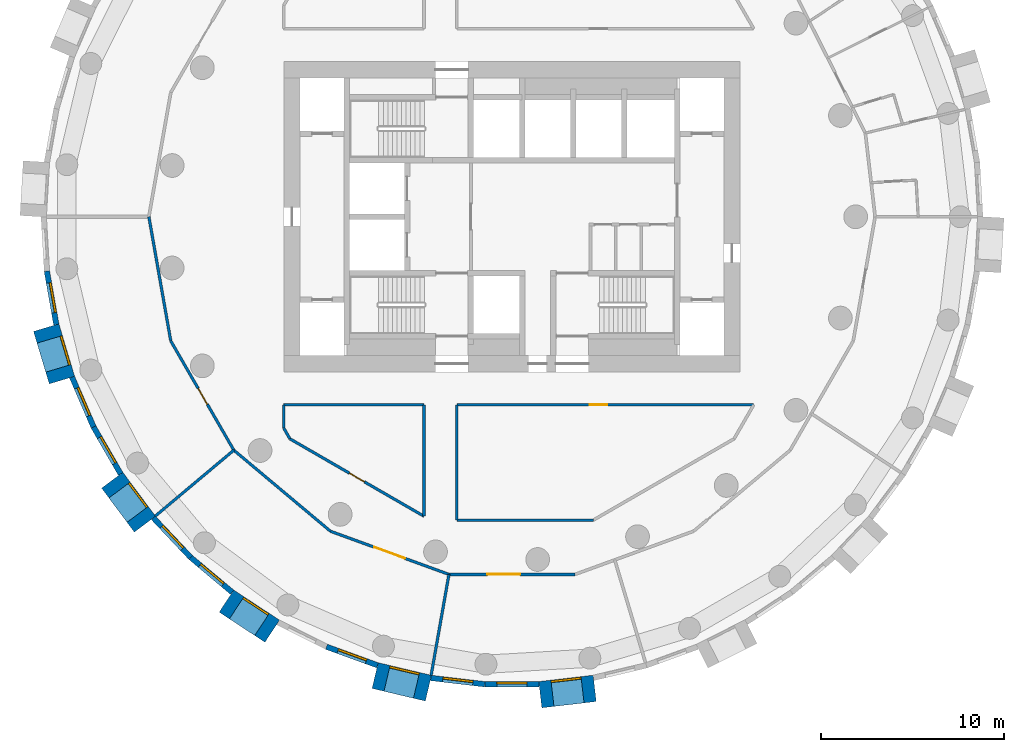
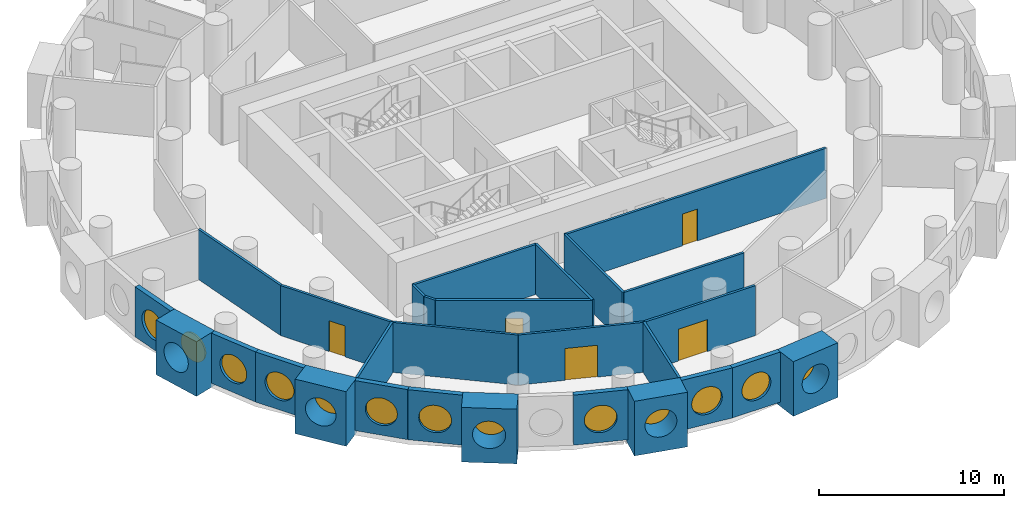
# One storey, part 2 of 10: 28 walls, 13 windows, 5 doors, 18 openings.
"""IFC4 building model written with IfcOpenShell, lengths in metres."""

from ifc_helpers import new_model, si_unit, direction, frame, frame_2d, origin, origin_2d, place, context, subcontext, project, spatial, rectangle, circle, extrude, material, layer, layer_set, type_object, element, fill, save


model = new_model("IFC4")

# Units and contexts
model_context = context("Model", 3, precision=1e-05, world=origin(), true_north=direction((0.0, 1.0)))
body_context = subcontext(model_context, "Body", "Model", "MODEL_VIEW")
ifc_project = project(units=[si_unit("LENGTHUNIT", "METRE"), si_unit("AREAUNIT", "SQUARE_METRE"), si_unit("VOLUMEUNIT", "CUBIC_METRE"), si_unit("PLANEANGLEUNIT", "RADIAN"), si_unit("MASSUNIT", "GRAM", prefix="KILO")], contexts=[model_context])

# Site, building, storey
site_placement = place(None, origin())
site = spatial("IfcSite", under=ifc_project, at=site_placement, CompositionType="ELEMENT")
building_placement = place(site_placement, origin())
building = spatial("IfcBuilding", under=site, at=building_placement, Name="Tracery Tower", CompositionType="ELEMENT")
storey_placement = place(building_placement, frame((0.0, 0.0, 133.199951171875)))
storey = spatial("IfcBuildingStorey", under=building, at=storey_placement, Name="L33", CompositionType="ELEMENT", Elevation=133.199951171875)

# Wall, opening, window
ifc_material_1 = material(Name="Precast concrete C50/60", Category="concrete")
ifc_layer_1 = layer(ifc_material_1, 1.449951171875)
ifc_layer_set_1 = layer_set([ifc_layer_1], Name="Deep-set bay unit 3000 x 3600, slab edge 300")
wall_type_1 = type_object("IfcWallType", Name="Deep-set bay unit 3000 x 3600, slab edge 300", PredefinedType="ELEMENTEDWALL", material=ifc_layer_set_1)
wall_1_placement = place(storey_placement, frame((-25.509521484375, -6.0712890625, -0.300048828125), z_axis=(0.0, 0.0, 1.0), x_axis=(0.286780420304, -0.957996341606, 0.0)))
wall_1 = element("IfcWall", 1, at=wall_1_placement, inside=storey, type_object=wall_type_1, Name="Deep-set bay unit 30 at L33", PredefinedType="ELEMENTEDWALL", context=body_context, shape_type="SweptSolid", body=[
    extrude(rectangle(XDim=3.0, YDim=1.449951171875, at=frame_2d((1.5, 0.0))), origin(), (0.0, 0.0, 1.0), 3.60009765625),
])
opening_1_placement = place(wall_1_placement, frame((1.5, 0.0, 1.85009765625)))
opening_1 = element("IfcOpeningElement", 2, at=opening_1_placement, cuts=wall_1, Name="Opening WN1", PredefinedType="OPENING", context=body_context, shape_type="SweptSolid", body=[
    extrude(circle(Radius=0.9000244140625, at=origin_2d()), frame((0.0, 0.73486328125, 0.0), z_axis=(0.0, -1.0, 0.0), x_axis=(1.0, 0.0, 0.0)), (0.0, 0.0, 1.0), 1.469970703125),
])
ifc_material_2 = material(Name="Aluminium frame with tinted double glazing", Category="aluminium")
window_type = type_object("IfcWindowType", Name="Round window 1800", PartitioningType="SINGLE_PANEL", PredefinedType="WINDOW", material=ifc_material_2)
window_1_placement = place(opening_1_placement, origin())
window_1 = element("IfcWindow", 3, at=window_1_placement, inside=storey, type_object=window_type, Name="Round window 30 at L33", OverallHeight=1.800048828125, OverallWidth=1.800048828125, PartitioningType="SINGLE_PANEL", PredefinedType="WINDOW", context=body_context, shape_type="SweptSolid", body=[
    extrude(circle(Radius=0.9000244140625, at=origin_2d()), frame((0.0, 0.69482421875, 0.0), z_axis=(0.0, -1.0, 0.0), x_axis=(1.0, 0.0, 0.0)), (0.0, 0.0, 1.0), 0.10009765625),
])
fill(opening_1, window_1)

wall_2_placement = place(storey_placement, frame((-21.89453125, -14.429931640625, -0.300048828125), z_axis=(0.0, 0.0, 1.0), x_axis=(0.597183717734, -0.802104486506, 0.0)))
wall_2 = element("IfcWall", 4, at=wall_2_placement, inside=storey, type_object=wall_type_1, Name="Deep-set bay unit 33 at L33", PredefinedType="ELEMENTEDWALL", context=body_context, shape_type="SweptSolid", body=[
    extrude(rectangle(XDim=3.0, YDim=1.449951171875, at=frame_2d((1.5, 0.0))), origin(), (0.0, 0.0, 1.0), 3.60009765625),
])
opening_2_placement = place(wall_2_placement, frame((1.5, 0.0, 1.85009765625)))
opening_2 = element("IfcOpeningElement", 5, at=opening_2_placement, cuts=wall_2, Name="Opening WN1", PredefinedType="OPENING", context=body_context, shape_type="SweptSolid", body=[
    extrude(circle(Radius=0.9000244140625, at=origin_2d()), frame((0.0, 0.73486328125, 0.0), z_axis=(0.0, -1.0, 0.0), x_axis=(1.0, 0.0, 0.0)), (0.0, 0.0, 1.0), 1.469970703125),
])
window_2_placement = place(opening_2_placement, origin())
window_2 = element("IfcWindow", 6, at=window_2_placement, inside=storey, type_object=window_type, Name="Round window 33 at L33", OverallHeight=1.800048828125, OverallWidth=1.800048828125, PartitioningType="SINGLE_PANEL", PredefinedType="WINDOW", context=body_context, shape_type="SweptSolid", body=[
    extrude(circle(Radius=0.9000244140625, at=origin_2d()), frame((0.0, 0.69482421875, 0.0), z_axis=(0.0, -1.0, 0.0), x_axis=(1.0, 0.0, 0.0)), (0.0, 0.0, 1.0), 0.10009765625),
])
fill(opening_2, window_2)

wall_3_placement = place(storey_placement, frame((-15.638916015625, -21.048095703125, -0.300048828125), z_axis=(0.0, 0.0, 1.0), x_axis=(0.835514416706, -0.549468524554, 0.0)))
wall_3 = element("IfcWall", 7, at=wall_3_placement, inside=storey, type_object=wall_type_1, Name="Deep-set bay unit 36 at L33", PredefinedType="ELEMENTEDWALL", context=body_context, shape_type="SweptSolid", body=[
    extrude(rectangle(XDim=3.0, YDim=1.449951171875, at=frame_2d((1.5, 0.0))), origin(), (0.0, 0.0, 1.0), 3.60009765625),
])
opening_3_placement = place(wall_3_placement, frame((1.5, 0.0, 1.85009765625)))
opening_3 = element("IfcOpeningElement", 8, at=opening_3_placement, cuts=wall_3, Name="Opening WN1", PredefinedType="OPENING", context=body_context, shape_type="SweptSolid", body=[
    extrude(circle(Radius=0.9000244140625, at=origin_2d()), frame((0.0, 0.73486328125, 0.0), z_axis=(0.0, -1.0, 0.0), x_axis=(1.0, 0.0, 0.0)), (0.0, 0.0, 1.0), 1.469970703125),
])
window_3_placement = place(opening_3_placement, origin())
window_3 = element("IfcWindow", 9, at=window_3_placement, inside=storey, type_object=window_type, Name="Round window 36 at L33", OverallHeight=1.800048828125, OverallWidth=1.800048828125, PartitioningType="SINGLE_PANEL", PredefinedType="WINDOW", context=body_context, shape_type="SweptSolid", body=[
    extrude(circle(Radius=0.9000244140625, at=origin_2d()), frame((0.0, 0.69482421875, 0.0), z_axis=(0.0, -1.0, 0.0), x_axis=(1.0, 0.0, 0.0)), (0.0, 0.0, 1.0), 0.10009765625),
])
fill(opening_3, window_3)

wall_4_placement = place(storey_placement, frame((-7.496826171875, -25.12744140625, -0.300048828125), z_axis=(0.0, 0.0, 1.0), x_axis=(0.973042333261, -0.23062657627, 0.0)))
wall_4 = element("IfcWall", 10, at=wall_4_placement, inside=storey, type_object=wall_type_1, Name="Deep-set bay unit 39 at L33", PredefinedType="ELEMENTEDWALL", context=body_context, shape_type="SweptSolid", body=[
    extrude(rectangle(XDim=3.0, YDim=1.449951171875, at=frame_2d((1.5, 0.0))), origin(), (0.0, 0.0, 1.0), 3.60009765625),
])
opening_4_placement = place(wall_4_placement, frame((1.5, 0.0, 1.85009765625)))
opening_4 = element("IfcOpeningElement", 11, at=opening_4_placement, cuts=wall_4, Name="Opening WN1", PredefinedType="OPENING", context=body_context, shape_type="SweptSolid", body=[
    extrude(circle(Radius=0.9000244140625, at=origin_2d()), frame((0.0, 0.73486328125, 0.0), z_axis=(0.0, -1.0, 0.0), x_axis=(1.0, 0.0, 0.0)), (0.0, 0.0, 1.0), 1.469970703125),
])
window_4_placement = place(opening_4_placement, origin())
window_4 = element("IfcWindow", 12, at=window_4_placement, inside=storey, type_object=window_type, Name="Round window 39 at L33", OverallHeight=1.800048828125, OverallWidth=1.800048828125, PartitioningType="SINGLE_PANEL", PredefinedType="WINDOW", context=body_context, shape_type="SweptSolid", body=[
    extrude(circle(Radius=0.9000244140625, at=origin_2d()), frame((0.0, 0.69482421875, 0.0), z_axis=(0.0, -1.0, 0.0), x_axis=(1.0, 0.0, 0.0)), (0.0, 0.0, 1.0), 0.10009765625),
])
fill(opening_4, window_4)

wall_5_placement = place(storey_placement, frame((1.54931640625, -26.17626953125, -0.300048828125), z_axis=(0.0, 0.0, 1.0), x_axis=(0.9932342274, 0.116128246006, 0.0)))
wall_5 = element("IfcWall", 13, at=wall_5_placement, inside=storey, type_object=wall_type_1, Name="Deep-set bay unit 42 at L33", PredefinedType="ELEMENTEDWALL", context=body_context, shape_type="SweptSolid", body=[
    extrude(rectangle(XDim=3.0, YDim=1.449951171875, at=frame_2d((1.5, 0.0))), origin(), (0.0, 0.0, 1.0), 3.60009765625),
])
opening_5_placement = place(wall_5_placement, frame((1.5, 0.0, 1.85009765625)))
opening_5 = element("IfcOpeningElement", 14, at=opening_5_placement, cuts=wall_5, Name="Opening WN1", PredefinedType="OPENING", context=body_context, shape_type="SweptSolid", body=[
    extrude(circle(Radius=0.9000244140625, at=origin_2d()), frame((0.0, 0.73486328125, 0.0), z_axis=(0.0, -1.0, 0.0), x_axis=(1.0, 0.0, 0.0)), (0.0, 0.0, 1.0), 1.469970703125),
])
window_5_placement = place(opening_5_placement, origin())
window_5 = element("IfcWindow", 15, at=window_5_placement, inside=storey, type_object=window_type, Name="Round window 42 at L33", OverallHeight=1.800048828125, OverallWidth=1.800048828125, PartitioningType="SINGLE_PANEL", PredefinedType="WINDOW", context=body_context, shape_type="SweptSolid", body=[
    extrude(circle(Radius=0.9000244140625, at=origin_2d()), frame((0.0, 0.69482421875, 0.0), z_axis=(0.0, -1.0, 0.0), x_axis=(1.0, 0.0, 0.0)), (0.0, 0.0, 1.0), 0.10009765625),
])
fill(opening_5, window_5)

ifc_material_3 = material(Name="Precast concrete C50/60", Category="concrete")
ifc_layer_2 = layer(ifc_material_3, 0.300048828125)
ifc_layer_set_2 = layer_set([ifc_layer_2], Name="Facade panel 3000 x 3300")
wall_type_2 = type_object("IfcWallType", Name="Facade panel 3000 x 3300", PredefinedType="SOLIDWALL", material=ifc_layer_set_2)
wall_6_placement = place(storey_placement, frame((-25.47412109375, -2.9775390625, 0.0), z_axis=(0.0, 0.0, 1.0), x_axis=(0.173686952598, -0.984800915159, 0.0)))
wall_6 = element("IfcWall", 16, at=wall_6_placement, inside=storey, type_object=wall_type_2, Name="Facade panel 29 at L33", PredefinedType="SOLIDWALL", context=body_context, shape_type="SweptSolid", body=[
    extrude(rectangle(XDim=2.972900390625, YDim=0.300048828125, at=frame_2d((1.486328125, 0.0))), origin(), (0.0, 0.0, 1.0), 3.300048828125),
])
opening_6_placement = place(wall_6_placement, frame((1.486328125, 0.0, 1.5498046875)))
opening_6 = element("IfcOpeningElement", 17, at=opening_6_placement, cuts=wall_6, Name="Opening WN1", PredefinedType="OPENING", context=body_context, shape_type="SweptSolid", body=[
    extrude(circle(Radius=0.9000244140625, at=origin_2d()), frame((0.0, 0.159912109375, 0.0), z_axis=(0.0, -1.0, 0.0), x_axis=(1.0, 0.0, 0.0)), (0.0, 0.0, 1.0), 0.320068359375),
])
window_6_placement = place(opening_6_placement, origin())
window_6 = element("IfcWindow", 18, at=window_6_placement, inside=storey, type_object=window_type, Name="Round window 29 at L33", OverallHeight=1.800048828125, OverallWidth=1.800048828125, PartitioningType="SINGLE_PANEL", PredefinedType="WINDOW", context=body_context, shape_type="SweptSolid", body=[
    extrude(circle(Radius=0.9000244140625, at=origin_2d()), frame((0.0, 0.1201171875, 0.0), z_axis=(0.0, -1.0, 0.0), x_axis=(1.0, 0.0, 0.0)), (0.0, 0.0, 1.0), 0.10009765625),
])
fill(opening_6, window_6)

wall_7_placement = place(storey_placement, frame((-24.096923828125, -8.78076171875, 0.0), z_axis=(0.0, 0.0, 1.0), x_axis=(0.396078892785, -0.918216483565, 0.0)))
wall_7 = element("IfcWall", 19, at=wall_7_placement, inside=storey, type_object=wall_type_2, Name="Facade panel 31 at L33", PredefinedType="SOLIDWALL", context=body_context, shape_type="SweptSolid", body=[
    extrude(rectangle(XDim=2.972900390625, YDim=0.300048828125, at=frame_2d((1.486328125, 0.0))), origin(), (0.0, 0.0, 1.0), 3.300048828125),
])
opening_7_placement = place(wall_7_placement, frame((1.486328125, 0.0, 1.5498046875)))
opening_7 = element("IfcOpeningElement", 20, at=opening_7_placement, cuts=wall_7, Name="Opening WN1", PredefinedType="OPENING", context=body_context, shape_type="SweptSolid", body=[
    extrude(circle(Radius=0.9000244140625, at=origin_2d()), frame((0.0, 0.159912109375, 0.0), z_axis=(0.0, -1.0, 0.0), x_axis=(1.0, 0.0, 0.0)), (0.0, 0.0, 1.0), 0.320068359375),
])
window_7_placement = place(opening_7_placement, origin())
window_7 = element("IfcWindow", 21, at=window_7_placement, inside=storey, type_object=window_type, Name="Round window 31 at L33", OverallHeight=1.800048828125, OverallWidth=1.800048828125, PartitioningType="SINGLE_PANEL", PredefinedType="WINDOW", context=body_context, shape_type="SweptSolid", body=[
    extrude(circle(Radius=0.9000244140625, at=origin_2d()), frame((0.0, 0.1201171875, 0.0), z_axis=(0.0, -1.0, 0.0), x_axis=(1.0, 0.0, 0.0)), (0.0, 0.0, 1.0), 0.10009765625),
])
fill(opening_7, window_7)

wall_8_placement = place(storey_placement, frame((-22.91943359375, -11.510498046875, 0.0), z_axis=(0.0, 0.0, 1.0), x_axis=(0.500016263033, -0.866016014115, 0.0)))
wall_8 = element("IfcWall", 22, at=wall_8_placement, inside=storey, type_object=wall_type_2, Name="Facade panel 32 at L33", PredefinedType="SOLIDWALL", context=body_context, shape_type="SweptSolid", body=[
    extrude(rectangle(XDim=2.97314453125, YDim=0.300048828125, at=frame_2d((1.486572265625, 0.0))), origin(), (0.0, 0.0, 1.0), 3.300048828125),
])
opening_8_placement = place(wall_8_placement, frame((1.486328125, 0.0, 1.5498046875)))
opening_8 = element("IfcOpeningElement", 23, at=opening_8_placement, cuts=wall_8, Name="Opening WN1", PredefinedType="OPENING", context=body_context, shape_type="SweptSolid", body=[
    extrude(circle(Radius=0.9000244140625, at=origin_2d()), frame((0.0, 0.159912109375, 0.0), z_axis=(0.0, -1.0, 0.0), x_axis=(1.0, 0.0, 0.0)), (0.0, 0.0, 1.0), 0.320068359375),
])
window_8_placement = place(opening_8_placement, origin())
window_8 = element("IfcWindow", 24, at=window_8_placement, inside=storey, type_object=window_type, Name="Round window 32 at L33", OverallHeight=1.800048828125, OverallWidth=1.800048828125, PartitioningType="SINGLE_PANEL", PredefinedType="WINDOW", context=body_context, shape_type="SweptSolid", body=[
    extrude(circle(Radius=0.9000244140625, at=origin_2d()), frame((0.0, 0.1201171875, 0.0), z_axis=(0.0, -1.0, 0.0), x_axis=(1.0, 0.0, 0.0)), (0.0, 0.0, 1.0), 0.10009765625),
])
fill(opening_8, window_8)

wall_9_placement = place(storey_placement, frame((-19.640380859375, -16.492919921875, 0.0), z_axis=(0.0, 0.0, 1.0), x_axis=(0.686235184166, -0.727379730273, 0.0)))
wall_9 = element("IfcWall", 25, at=wall_9_placement, inside=storey, type_object=wall_type_2, Name="Facade panel 34 at L33", PredefinedType="SOLIDWALL", context=body_context, shape_type="SweptSolid", body=[
    extrude(rectangle(XDim=2.972900390625, YDim=0.300048828125, at=frame_2d((1.486328125, 0.0))), origin(), (0.0, 0.0, 1.0), 3.300048828125),
])
opening_9_placement = place(wall_9_placement, frame((1.486328125, 0.0, 1.5498046875)))
opening_9 = element("IfcOpeningElement", 26, at=opening_9_placement, cuts=wall_9, Name="Opening WN1", PredefinedType="OPENING", context=body_context, shape_type="SweptSolid", body=[
    extrude(circle(Radius=0.9000244140625, at=origin_2d()), frame((0.0, 0.159912109375, 0.0), z_axis=(0.0, -1.0, 0.0), x_axis=(1.0, 0.0, 0.0)), (0.0, 0.0, 1.0), 0.320068359375),
])
window_9_placement = place(opening_9_placement, origin())
window_9 = element("IfcWindow", 27, at=window_9_placement, inside=storey, type_object=window_type, Name="Round window 34 at L33", OverallHeight=1.800048828125, OverallWidth=1.800048828125, PartitioningType="SINGLE_PANEL", PredefinedType="WINDOW", context=body_context, shape_type="SweptSolid", body=[
    extrude(circle(Radius=0.9000244140625, at=origin_2d()), frame((0.0, 0.1201171875, 0.0), z_axis=(0.0, -1.0, 0.0), x_axis=(1.0, 0.0, 0.0)), (0.0, 0.0, 1.0), 0.10009765625),
])
fill(opening_9, window_9)

wall_10_placement = place(storey_placement, frame((-17.600341796875, -18.6552734375, 0.0), z_axis=(0.0, 0.0, 1.0), x_axis=(0.766049350637, -0.642781761089, 0.0)))
wall_10 = element("IfcWall", 28, at=wall_10_placement, inside=storey, type_object=wall_type_2, Name="Facade panel 35 at L33", PredefinedType="SOLIDWALL", context=body_context, shape_type="SweptSolid", body=[
    extrude(rectangle(XDim=2.972900390625, YDim=0.300048828125, at=frame_2d((1.486328125, 0.0))), origin(), (0.0, 0.0, 1.0), 3.300048828125),
])
opening_10_placement = place(wall_10_placement, frame((1.486328125, 0.0, 1.5498046875)))
opening_10 = element("IfcOpeningElement", 29, at=opening_10_placement, cuts=wall_10, Name="Opening WN1", PredefinedType="OPENING", context=body_context, shape_type="SweptSolid", body=[
    extrude(circle(Radius=0.9000244140625, at=origin_2d()), frame((0.0, 0.159912109375, 0.0), z_axis=(0.0, -1.0, 0.0), x_axis=(1.0, 0.0, 0.0)), (0.0, 0.0, 1.0), 0.320068359375),
])
window_10_placement = place(opening_10_placement, origin())
window_10 = element("IfcWindow", 30, at=window_10_placement, inside=storey, type_object=window_type, Name="Round window 35 at L33", OverallHeight=1.800048828125, OverallWidth=1.800048828125, PartitioningType="SINGLE_PANEL", PredefinedType="WINDOW", context=body_context, shape_type="SweptSolid", body=[
    extrude(circle(Radius=0.9000244140625, at=origin_2d()), frame((0.0, 0.1201171875, 0.0), z_axis=(0.0, -1.0, 0.0), x_axis=(1.0, 0.0, 0.0)), (0.0, 0.0, 1.0), 0.10009765625),
])
fill(opening_10, window_10)

wall_11_placement = place(storey_placement, frame((-10.158447265625, -23.5498046875, 0.0), z_axis=(0.0, 0.0, 1.0), x_axis=(0.939690282133, -0.342026568652, 0.0)))
wall_11 = element("IfcWall", 31, at=wall_11_placement, inside=storey, type_object=wall_type_2, Name="Facade panel 38 at L33", PredefinedType="SOLIDWALL", context=body_context, shape_type="SweptSolid", body=[
    extrude(rectangle(XDim=2.972900390625, YDim=0.300048828125, at=frame_2d((1.486328125, 0.0))), origin(), (0.0, 0.0, 1.0), 3.300048828125),
])
opening_11_placement = place(wall_11_placement, frame((1.486328125, 0.0, 1.5498046875)))
opening_11 = element("IfcOpeningElement", 32, at=opening_11_placement, cuts=wall_11, Name="Opening WN1", PredefinedType="OPENING", context=body_context, shape_type="SweptSolid", body=[
    extrude(circle(Radius=0.9000244140625, at=origin_2d()), frame((0.0, 0.159912109375, 0.0), z_axis=(0.0, -1.0, 0.0), x_axis=(1.0, 0.0, 0.0)), (0.0, 0.0, 1.0), 0.320068359375),
])
window_11_placement = place(opening_11_placement, origin())
window_11 = element("IfcWindow", 33, at=window_11_placement, inside=storey, type_object=window_type, Name="Round window 38 at L33", OverallHeight=1.800048828125, OverallWidth=1.800048828125, PartitioningType="SINGLE_PANEL", PredefinedType="WINDOW", context=body_context, shape_type="SweptSolid", body=[
    extrude(circle(Radius=0.9000244140625, at=origin_2d()), frame((0.0, 0.1201171875, 0.0), z_axis=(0.0, -1.0, 0.0), x_axis=(1.0, 0.0, 0.0)), (0.0, 0.0, 1.0), 0.10009765625),
])
fill(opening_11, window_11)

wall_12_placement = place(storey_placement, frame((-4.444091796875, -25.259033203125, 0.0), z_axis=(0.0, 0.0, 1.0), x_axis=(0.993245010522, -0.1160359818, 0.0)))
wall_12 = element("IfcWall", 34, at=wall_12_placement, inside=storey, type_object=wall_type_2, Name="Facade panel 40 at L33", PredefinedType="SOLIDWALL", context=body_context, shape_type="SweptSolid", body=[
    extrude(rectangle(XDim=2.972900390625, YDim=0.300048828125, at=frame_2d((1.486328125, 0.0))), origin(), (0.0, 0.0, 1.0), 3.300048828125),
])
opening_12_placement = place(wall_12_placement, frame((1.486328125, 0.0, 1.5498046875)))
opening_12 = element("IfcOpeningElement", 35, at=opening_12_placement, cuts=wall_12, Name="Opening WN1", PredefinedType="OPENING", context=body_context, shape_type="SweptSolid", body=[
    extrude(circle(Radius=0.9000244140625, at=origin_2d()), frame((0.0, 0.159912109375, 0.0), z_axis=(0.0, -1.0, 0.0), x_axis=(1.0, 0.0, 0.0)), (0.0, 0.0, 1.0), 0.320068359375),
])
window_12_placement = place(opening_12_placement, origin())
window_12 = element("IfcWindow", 36, at=window_12_placement, inside=storey, type_object=window_type, Name="Round window 40 at L33", OverallHeight=1.800048828125, OverallWidth=1.800048828125, PartitioningType="SINGLE_PANEL", PredefinedType="WINDOW", context=body_context, shape_type="SweptSolid", body=[
    extrude(circle(Radius=0.9000244140625, at=origin_2d()), frame((0.0, 0.1201171875, 0.0), z_axis=(0.0, -1.0, 0.0), x_axis=(1.0, 0.0, 0.0)), (0.0, 0.0, 1.0), 0.10009765625),
])
fill(opening_12, window_12)

wall_13_placement = place(storey_placement, frame((-1.4912109375, -25.60400390625, 0.0), z_axis=(0.0, 0.0, 1.0), x_axis=(1.0, 0.0, 0.0)))
wall_13 = element("IfcWall", 37, at=wall_13_placement, inside=storey, type_object=wall_type_2, Name="Facade panel 41 at L33", PredefinedType="SOLIDWALL", context=body_context, shape_type="SweptSolid", body=[
    extrude(rectangle(XDim=2.972900390625, YDim=0.300048828125, at=frame_2d((1.486328125, 0.0))), origin(), (0.0, 0.0, 1.0), 3.300048828125),
])
opening_13_placement = place(wall_13_placement, frame((1.486328125, 0.0, 1.5498046875)))
opening_13 = element("IfcOpeningElement", 38, at=opening_13_placement, cuts=wall_13, Name="Opening WN1", PredefinedType="OPENING", context=body_context, shape_type="SweptSolid", body=[
    extrude(circle(Radius=0.9000244140625, at=origin_2d()), frame((0.0, 0.159912109375, 0.0), z_axis=(0.0, -1.0, 0.0), x_axis=(1.0, 0.0, 0.0)), (0.0, 0.0, 1.0), 0.320068359375),
])
window_13_placement = place(opening_13_placement, origin())
window_13 = element("IfcWindow", 39, at=window_13_placement, inside=storey, type_object=window_type, Name="Round window 41 at L33", OverallHeight=1.800048828125, OverallWidth=1.800048828125, PartitioningType="SINGLE_PANEL", PredefinedType="WINDOW", context=body_context, shape_type="SweptSolid", body=[
    extrude(circle(Radius=0.9000244140625, at=origin_2d()), frame((0.0, 0.1201171875, 0.0), z_axis=(0.0, -1.0, 0.0), x_axis=(1.0, 0.0, 0.0)), (0.0, 0.0, 1.0), 0.10009765625),
])
fill(opening_13, window_13)

# Walls
ifc_material_4 = material(Name="Plasterboard on steel studs", Category="steel")
ifc_layer_3 = layer(ifc_material_4, 0.14990234375)
ifc_layer_set_3 = layer_set([ifc_layer_3], Name="Partition 150 acoustic unit wall")
wall_type_3 = type_object("IfcWallType", Name="Partition 150 acoustic unit wall", PredefinedType="PARTITIONING", material=ifc_layer_set_3)
wall_14_placement = place(storey_placement, frame((-19.531982421875, -16.388916015625, 0.0), z_axis=(0.0, 0.0, 1.0), x_axis=(0.76609059793, 0.642732600514, 0.0)))
element("IfcWall", 40, at=wall_14_placement, inside=storey, type_object=wall_type_3, Name="Unit wall RB1-077", PredefinedType="PARTITIONING", context=body_context, shape_type="SweptSolid", body=[
    extrude(rectangle(XDim=5.60888671875, YDim=0.14990234375, at=frame_2d((2.804443359375, 0.0))), origin(), (0.0, 0.0, 1.0), 3.300048828125),
])
wall_15_placement = place(storey_placement, frame((-4.427978515625, -25.110107421875, 0.0), z_axis=(0.0, 0.0, 1.0), x_axis=(0.17382754149, 0.984776109489, 0.0)))
element("IfcWall", 41, at=wall_15_placement, inside=storey, type_object=wall_type_3, Name="Unit wall RB1-078", PredefinedType="PARTITIONING", context=body_context, shape_type="SweptSolid", body=[
    extrude(rectangle(XDim=5.609619140625, YDim=0.14990234375, at=frame_2d((2.8046875, 0.0))), origin(), (0.0, 0.0, 1.0), 3.300048828125),
])
ifc_material_5 = material(Name="Plasterboard on steel studs", Category="steel")
ifc_layer_4 = layer(ifc_material_5, 0.14990234375)
ifc_layer_set_4 = layer_set([ifc_layer_4], Name="Partition 150 corridor wall")
wall_type_4 = type_object("IfcWallType", Name="Partition 150 corridor wall", PredefinedType="PARTITIONING", material=ifc_layer_set_4)
wall_16_placement = place(storey_placement, frame((-12.50390625, -10.300048828125, 0.0), z_axis=(0.0, 0.0, 1.0), x_axis=(1.0, 0.0, 0.0)))
element("IfcWall", 42, at=wall_16_placement, inside=storey, type_object=wall_type_4, Name="Corridor wall RB1-003", PredefinedType="PARTITIONING", context=body_context, shape_type="SweptSolid", body=[
    extrude(rectangle(XDim=7.68701171875, YDim=0.14990234375, at=frame_2d((3.843505859375, 0.0))), origin(), (0.0, 0.0, 1.0), 3.300048828125),
])

# Wall, opening, door
wall_17_placement = place(storey_placement, frame((-3.02490234375, -10.300048828125, 0.0), z_axis=(0.0, 0.0, 1.0), x_axis=(1.0, 0.0, 0.0)))
wall_17 = element("IfcWall", 43, at=wall_17_placement, inside=storey, type_object=wall_type_4, Name="Corridor wall RB1-004", PredefinedType="PARTITIONING", context=body_context, shape_type="SweptSolid", body=[
    extrude(rectangle(XDim=16.261962890625, YDim=0.14990234375, at=frame_2d((8.130859375, 0.0))), origin(), (0.0, 0.0, 1.0), 3.300048828125),
])
opening_14_placement = place(wall_17_placement, frame((7.287109375, 0.0, 0.0)))
opening_14 = element("IfcOpeningElement", 44, at=opening_14_placement, cuts=wall_17, Name="Opening RB1-04", PredefinedType="OPENING", context=body_context, shape_type="SweptSolid", body=[
    extrude(rectangle(XDim=0.949951171875, YDim=2.10009765625, at=frame_2d((0.47509765625, 1.050048828125))), frame((0.0, 0.074951171875, 0.0), z_axis=(0.0, -1.0, 0.0), x_axis=(1.0, 0.0, 0.0)), (0.0, 0.0, 1.0), 0.14990234375),
])
ifc_material_6 = material(Name="Timber door leaf", Category="wood")
door_type_1 = type_object("IfcDoorType", Name="Door store 950", OperationType="NOTDEFINED", PredefinedType="DOOR", material=ifc_material_6)
door_1_placement = place(opening_14_placement, origin())
door_1 = element("IfcDoor", 45, at=door_1_placement, inside=storey, type_object=door_type_1, Name="Store door RB1-04", OperationType="SINGLE_SWING_RIGHT", OverallHeight=2.10009765625, OverallWidth=0.949951171875, PredefinedType="DOOR", context=body_context, shape_type="SweptSolid", body=[
    extrude(rectangle(XDim=0.949951171875, YDim=2.10009765625, at=frame_2d((0.47509765625, 1.050048828125))), frame((0.0, 0.02490234375, 0.0), z_axis=(0.0, -1.0, 0.0), x_axis=(1.0, 0.0, 0.0)), (0.0, 0.0, 1.0), 0.050048828125),
])
fill(opening_14, door_1)

# Walls
wall_18_placement = place(storey_placement, frame((-12.5, -11.576904296875, 0.0), z_axis=(0.0, 0.0, 1.0), x_axis=(0.0, 1.0, 0.0)))
element("IfcWall", 46, at=wall_18_placement, inside=storey, type_object=wall_type_4, Name="Corridor wall RB1-025", PredefinedType="PARTITIONING", context=body_context, shape_type="SweptSolid", body=[
    extrude(rectangle(XDim=1.27685546875, YDim=0.14990234375, at=frame_2d((0.638427734375, 0.0))), origin(), (0.0, 0.0, 1.0), 3.300048828125),
])
wall_19_placement = place(storey_placement, frame((-12.5, -11.576904296875, 0.0), z_axis=(0.0, 0.0, 1.0), x_axis=(0.500024767483, -0.866011103799, 0.0)))
element("IfcWall", 47, at=wall_19_placement, inside=storey, type_object=wall_type_4, Name="Corridor wall RB1-026", PredefinedType="PARTITIONING", context=body_context, shape_type="SweptSolid", body=[
    extrude(rectangle(XDim=0.67578125, YDim=0.14990234375, at=frame_2d((0.337890625, 0.0))), origin(), (0.0, 0.0, 1.0), 3.300048828125),
])

# Wall, opening, door
wall_20_placement = place(storey_placement, frame((-18.68798828125, -6.802001953125, 0.0), z_axis=(0.0, 0.0, 1.0), x_axis=(0.499914202267, -0.866074933462, 0.0)))
wall_20 = element("IfcWall", 48, at=wall_20_placement, inside=storey, type_object=wall_type_4, Name="Corridor wall RB1-029", PredefinedType="PARTITIONING", context=body_context, shape_type="SweptSolid", body=[
    extrude(rectangle(XDim=6.906982421875, YDim=0.14990234375, at=frame_2d((3.45361328125, 0.0))), origin(), (0.0, 0.0, 1.0), 3.300048828125),
])
opening_15_placement = place(wall_20_placement, frame((3.003173828125, 0.0, 0.0)))
opening_15 = element("IfcOpeningElement", 49, at=opening_15_placement, cuts=wall_20, Name="Opening RB1-27", PredefinedType="OPENING", context=body_context, shape_type="SweptSolid", body=[
    extrude(rectangle(XDim=1.0, YDim=2.0400390625, at=frame_2d((0.5, 1.02001953125))), frame((0.0, 0.074951171875, 0.0), z_axis=(0.0, -1.0, 0.0), x_axis=(1.0, 0.0, 0.0)), (0.0, 0.0, 1.0), 0.14990234375),
])
ifc_material_7 = material(Name="Timber door leaf", Category="wood")
door_type_2 = type_object("IfcDoorType", Name="Door communal room 1000", OperationType="NOTDEFINED", PredefinedType="DOOR", material=ifc_material_7)
door_2_placement = place(opening_15_placement, origin())
door_2 = element("IfcDoor", 50, at=door_2_placement, inside=storey, type_object=door_type_2, Name="Communal room door RB1-27", OperationType="SINGLE_SWING_LEFT", OverallHeight=2.0400390625, OverallWidth=1.0, PredefinedType="DOOR", context=body_context, shape_type="SweptSolid", body=[
    extrude(rectangle(XDim=1.0, YDim=2.0400390625, at=frame_2d((0.5, 1.02001953125))), frame((0.0, 0.02490234375, 0.0), z_axis=(0.0, -1.0, 0.0), x_axis=(1.0, 0.0, 0.0)), (0.0, 0.0, 1.0), 0.050048828125),
])
fill(opening_15, door_2)

# Walls
wall_21_placement = place(storey_placement, frame((-19.887939453125, 0.0, 0.0), z_axis=(0.0, 0.0, 1.0), x_axis=(0.173728873845, -0.98479352069, 0.0)))
element("IfcWall", 51, at=wall_21_placement, inside=storey, type_object=wall_type_4, Name="Corridor wall RB1-030", PredefinedType="PARTITIONING", context=body_context, shape_type="SweptSolid", body=[
    extrude(rectangle(XDim=6.906982421875, YDim=0.14990234375, at=frame_2d((3.45361328125, 0.0))), origin(), (0.0, 0.0, 1.0), 3.300048828125),
])
wall_22_placement = place(storey_placement, frame((-15.235107421875, -12.783935546875, 0.0), z_axis=(0.0, 0.0, 1.0), x_axis=(0.766192104565, -0.642611592567, 0.0)))
element("IfcWall", 52, at=wall_22_placement, inside=storey, type_object=wall_type_4, Name="Corridor wall RB1-031", PredefinedType="PARTITIONING", context=body_context, shape_type="SweptSolid", body=[
    extrude(rectangle(XDim=6.906494140625, YDim=0.14990234375, at=frame_2d((3.453125, 0.0))), origin(), (0.0, 0.0, 1.0), 3.300048828125),
])

# Wall, opening, door
wall_23_placement = place(storey_placement, frame((-12.162109375, -12.162109375, 0.0), z_axis=(0.0, 0.0, 1.0), x_axis=(0.866004766557, -0.500035743023, 0.0)))
wall_23 = element("IfcWall", 53, at=wall_23_placement, inside=storey, type_object=wall_type_4, Name="Corridor wall RB1-032", PredefinedType="PARTITIONING", context=body_context, shape_type="SweptSolid", body=[
    extrude(rectangle(XDim=8.47705078125, YDim=0.14990234375, at=frame_2d((4.238525390625, 0.0))), origin(), (0.0, 0.0, 1.0), 3.300048828125),
])
opening_16_placement = place(wall_23_placement, frame((3.762939453125, 0.0, 0.0)))
opening_16 = element("IfcOpeningElement", 54, at=opening_16_placement, cuts=wall_23, Name="Opening RB1-03", PredefinedType="OPENING", context=body_context, shape_type="SweptSolid", body=[
    extrude(rectangle(XDim=0.949951171875, YDim=2.10009765625, at=frame_2d((0.47509765625, 1.050048828125))), frame((0.0, 0.074951171875, 0.0), z_axis=(0.0, -1.0, 0.0), x_axis=(1.0, 0.0, 0.0)), (0.0, 0.0, 1.0), 0.14990234375),
])
door_3_placement = place(opening_16_placement, origin())
door_3 = element("IfcDoor", 55, at=door_3_placement, inside=storey, type_object=door_type_1, Name="Store door RB1-03", OperationType="SINGLE_SWING_LEFT", OverallHeight=2.10009765625, OverallWidth=0.949951171875, PredefinedType="DOOR", context=body_context, shape_type="SweptSolid", body=[
    extrude(rectangle(XDim=0.949951171875, YDim=2.10009765625, at=frame_2d((0.47509765625, 1.050048828125))), frame((0.0, 0.02490234375, 0.0), z_axis=(0.0, -1.0, 0.0), x_axis=(1.0, 0.0, 0.0)), (0.0, 0.0, 1.0), 0.050048828125),
])
fill(opening_16, door_3)

# Walls
wall_24_placement = place(storey_placement, frame((-4.821044921875, -16.40087890625, 0.0), z_axis=(0.0, 0.0, 1.0), x_axis=(0.0, 1.0, 0.0)))
element("IfcWall", 56, at=wall_24_placement, inside=storey, type_object=wall_type_4, Name="Corridor wall RB1-033", PredefinedType="PARTITIONING", context=body_context, shape_type="SweptSolid", body=[
    extrude(rectangle(XDim=6.100830078125, YDim=0.14990234375, at=frame_2d((3.05029296875, 0.0))), origin(), (0.0, 0.0, 1.0), 3.300048828125),
])
wall_25_placement = place(storey_placement, frame((-3.02099609375, -16.614013671875, 0.0), z_axis=(0.0, 0.0, 1.0), x_axis=(0.0, 1.0, 0.0)))
element("IfcWall", 57, at=wall_25_placement, inside=storey, type_object=wall_type_4, Name="Corridor wall RB1-034", PredefinedType="PARTITIONING", context=body_context, shape_type="SweptSolid", body=[
    extrude(rectangle(XDim=6.31396484375, YDim=0.14990234375, at=frame_2d((3.156982421875, 0.0))), origin(), (0.0, 0.0, 1.0), 3.300048828125),
])
wall_26_placement = place(storey_placement, frame((-3.02099609375, -16.614013671875, 0.0), z_axis=(0.0, 0.0, 1.0), x_axis=(1.0, 0.0, 0.0)))
element("IfcWall", 58, at=wall_26_placement, inside=storey, type_object=wall_type_4, Name="Corridor wall RB1-035", PredefinedType="PARTITIONING", context=body_context, shape_type="SweptSolid", body=[
    extrude(rectangle(XDim=7.472900390625, YDim=0.14990234375, at=frame_2d((3.736328125, 0.0))), origin(), (0.0, 0.0, 1.0), 3.300048828125),
])

# Wall, opening, door
wall_27_placement = place(storey_placement, frame((-9.944091796875, -17.222900390625, 0.0), z_axis=(0.0, 0.0, 1.0), x_axis=(0.939672634566, -0.342075050021, 0.0)))
wall_27 = element("IfcWall", 59, at=wall_27_placement, inside=storey, type_object=wall_type_4, Name="Corridor wall RB1-037", PredefinedType="PARTITIONING", context=body_context, shape_type="SweptSolid", body=[
    extrude(rectangle(XDim=6.907958984375, YDim=0.14990234375, at=frame_2d((3.4541015625, 0.0))), origin(), (0.0, 0.0, 1.0), 3.300048828125),
])
opening_17_placement = place(wall_27_placement, frame((2.5537109375, 0.0, 0.0)))
opening_17 = element("IfcOpeningElement", 60, at=opening_17_placement, cuts=wall_27, Name="Opening RB1-28", PredefinedType="OPENING", context=body_context, shape_type="SweptSolid", body=[
    extrude(rectangle(XDim=1.800048828125, YDim=2.10009765625, at=frame_2d((0.89990234375, 1.050048828125))), frame((0.0, 0.074951171875, 0.0), z_axis=(0.0, -1.0, 0.0), x_axis=(1.0, 0.0, 0.0)), (0.0, 0.0, 1.0), 0.14990234375),
])
ifc_material_8 = material(Name="Timber door leaf", Category="wood")
door_type_3 = type_object("IfcDoorType", Name="Door double lounge 1800", OperationType="NOTDEFINED", PredefinedType="DOOR", material=ifc_material_8)
door_4_placement = place(opening_17_placement, origin())
door_4 = element("IfcDoor", 61, at=door_4_placement, inside=storey, type_object=door_type_3, Name="Double lounge door RB1-28", OperationType="DOUBLE_DOOR_SINGLE_SWING", OverallHeight=2.10009765625, OverallWidth=1.800048828125, PredefinedType="DOOR", context=body_context, shape_type="SweptSolid", body=[
    extrude(rectangle(XDim=1.800048828125, YDim=2.10009765625, at=frame_2d((0.89990234375, 1.050048828125))), frame((0.0, 0.02490234375, 0.0), z_axis=(0.0, -1.0, 0.0), x_axis=(1.0, 0.0, 0.0)), (0.0, 0.0, 1.0), 0.050048828125),
])
fill(opening_17, door_4)

wall_28_placement = place(storey_placement, frame((-3.452880859375, -19.5859375, 0.0), z_axis=(0.0, 0.0, 1.0), x_axis=(1.0, 0.0, 0.0)))
wall_28 = element("IfcWall", 62, at=wall_28_placement, inside=storey, type_object=wall_type_4, Name="Corridor wall RB1-039", PredefinedType="PARTITIONING", context=body_context, shape_type="SweptSolid", body=[
    extrude(rectangle(XDim=6.90576171875, YDim=0.14990234375, at=frame_2d((3.452880859375, 0.0))), origin(), (0.0, 0.0, 1.0), 3.300048828125),
])
opening_18_placement = place(wall_28_placement, frame((2.10302734375, 0.0, 0.0)))
opening_18 = element("IfcOpeningElement", 63, at=opening_18_placement, cuts=wall_28, Name="Opening RB1-29", PredefinedType="OPENING", context=body_context, shape_type="SweptSolid", body=[
    extrude(rectangle(XDim=1.800048828125, YDim=2.10009765625, at=frame_2d((0.89990234375, 1.050048828125))), frame((0.0, 0.074951171875, 0.0), z_axis=(0.0, -1.0, 0.0), x_axis=(1.0, 0.0, 0.0)), (0.0, 0.0, 1.0), 0.14990234375),
])
door_5_placement = place(opening_18_placement, origin())
door_5 = element("IfcDoor", 64, at=door_5_placement, inside=storey, type_object=door_type_3, Name="Double lounge door RB1-29", OperationType="DOUBLE_DOOR_SINGLE_SWING", OverallHeight=2.10009765625, OverallWidth=1.800048828125, PredefinedType="DOOR", context=body_context, shape_type="SweptSolid", body=[
    extrude(rectangle(XDim=1.800048828125, YDim=2.10009765625, at=frame_2d((0.89990234375, 1.050048828125))), frame((0.0, 0.02490234375, 0.0), z_axis=(0.0, -1.0, 0.0), x_axis=(1.0, 0.0, 0.0)), (0.0, 0.0, 1.0), 0.050048828125),
])
fill(opening_18, door_5)

save(model, "model.ifc")
